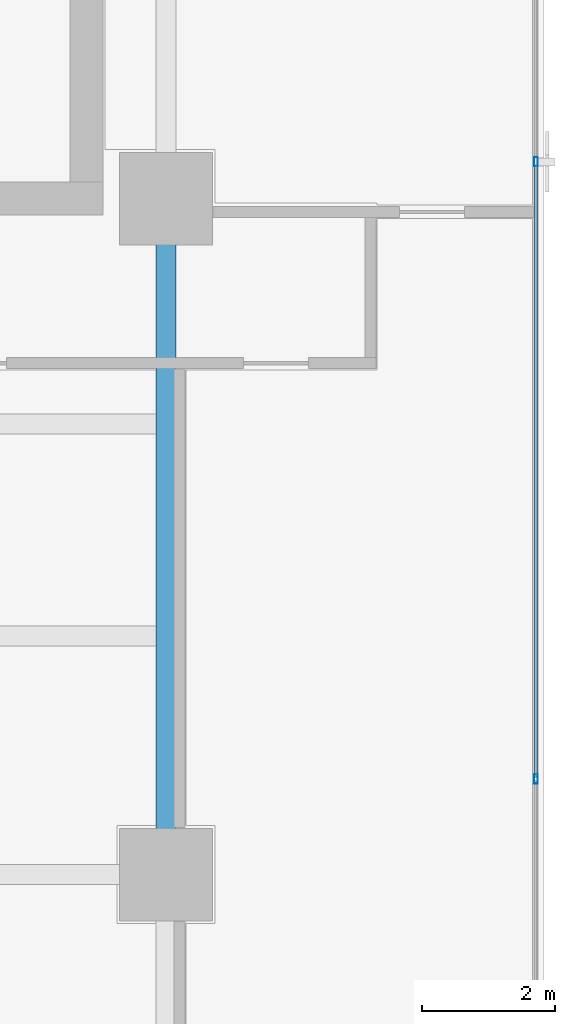
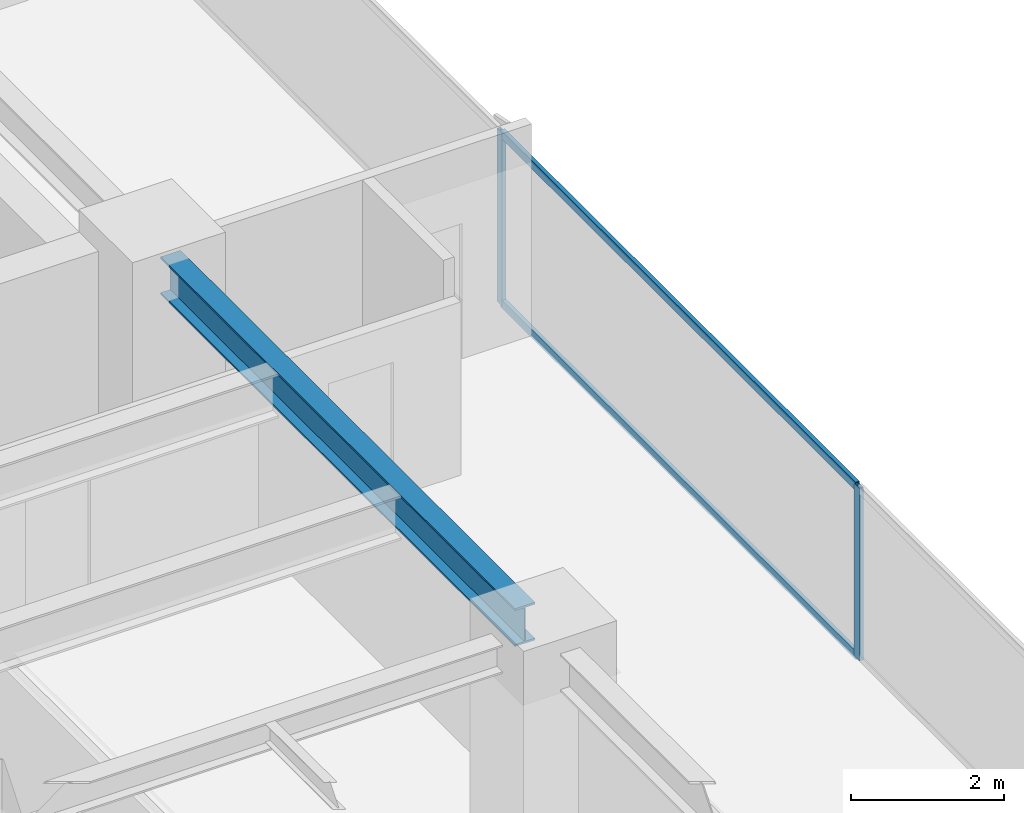
# One storey, part 13 of 26: 4 members, 1 beam, 1 element without a shape of its own.
"""IFC4 building model written with IfcOpenShell, lengths in metres."""

from ifc_helpers import new_model, si_unit, direction, frame, origin, origin_2d, place, context, subcontext, project, spatial, hollow_rectangle, i_section, extrude, source, transform, mapped, material, layer, layer_set, material_profile, profile_set, type_object, element, aggregate, save


model = new_model("IFC4")

# Units and contexts
model_context = context("Model", 3, precision=1e-05, world=origin(), true_north=direction((0.0, 1.0)))
body_context = subcontext(model_context, "Body", "Model", "MODEL_VIEW")
ifc_project = project(units=[si_unit("LENGTHUNIT", "METRE"), si_unit("AREAUNIT", "SQUARE_METRE"), si_unit("VOLUMEUNIT", "CUBIC_METRE"), si_unit("PLANEANGLEUNIT", "RADIAN"), si_unit("MASSUNIT", "GRAM", prefix="KILO")], contexts=[model_context])

# Site, building, storey
site_placement = place(None, origin())
site = spatial("IfcSite", under=ifc_project, at=site_placement, CompositionType="ELEMENT")
building_placement = place(site_placement, origin())
building = spatial("IfcBuilding", under=site, at=building_placement, Name="Sumidabori Civic Tower", CompositionType="ELEMENT")
storey_placement = place(building_placement, frame((0.0, 0.0, 261.199951171875)))
storey = spatial("IfcBuildingStorey", under=building, at=storey_placement, Name="L68", CompositionType="ELEMENT", Elevation=261.199951171875)

# Beam
ifc_material_1 = material(Name="Steel SN490", Category="steel")
ifc_material_profile_1 = material_profile(ifc_material_1, i_section(OverallWidth=0.300048828125, OverallDepth=0.60009765625, WebThickness=0.015380859375, FlangeThickness=0.030029296875, at=origin_2d()), Name="HE 600 B")
ifc_profile_set_1 = profile_set([ifc_material_profile_1], Name="Steel SN490")
beam_type = type_object("IfcBeamType", Name="BM-GIRD-600", PredefinedType="BEAM", material=ifc_profile_set_1)
shared_shape_1 = source(origin(), body_context, "Body", "SweptSolid", [
    extrude(i_section(OverallWidth=0.300048828125, OverallDepth=0.60009765625, WebThickness=0.015380859375, FlangeThickness=0.030029296875, at=origin_2d()), origin(), (0.0, 0.0, 1.0), 9.239990234375),
])
beam_placement = place(storey_placement, frame((16.800048828125, 0.47998046875, 3.070068359375), z_axis=(0.0, 1.0, 0.0), x_axis=(-1.0, 0.0, 0.0)))
element("IfcBeam", 1, at=beam_placement, inside=storey, type_object=beam_type, Name="Primary Girder L68 GY-16", PredefinedType="BEAM", context=body_context, shape_type="MappedRepresentation", body=[
    mapped(shared_shape_1, transform((0.0, 0.0, 0.0), x_axis=(1.0, 0.0, 0.0), y_axis=(0.0, 1.0, 0.0), z_axis=(0.0, 0.0, 1.0), scale=1.0)),
])

# Curtain wall, members
ifc_material_2 = material(Name="Anodised Bronze Aluminium AW-6063-T6", Category="aluminium")
ifc_layer = layer(ifc_material_2, 0.179931640625, Name="Anodised Bronze Aluminium AW-6063-T6")
ifc_layer_set = layer_set([ifc_layer], Name="Anodised Bronze Aluminium AW-6063-T6")
curtain_wall_type = type_object("IfcCurtainWallType", Name="CW-SYS-5", PredefinedType="NOTDEFINED", material=ifc_layer_set)
curtain_wall_placement = place(storey_placement, origin())
curtain_wall = element("IfcCurtainWall", 2, at=curtain_wall_placement, inside=storey, type_object=curtain_wall_type, Name="Curtain Wall CW:L68:R04", PredefinedType="NOTDEFINED")
ifc_material_profile_2 = material_profile(ifc_material_2, hollow_rectangle(XDim=0.06005859375, YDim=0.139892578125, WallThickness=0.0048828125, at=origin_2d()), Name="ALU MULLION 140x60")
ifc_profile_set_2 = profile_set([ifc_material_profile_2], Name="Anodised Bronze Aluminium AW-6063-T6")
member_type_1 = type_object("IfcMemberType", Name="CW-MUL-140", PredefinedType="MULLION", material=ifc_profile_set_2)
shared_shape_2 = source(origin(), body_context, "Body", "SweptSolid", [
    extrude(hollow_rectangle(XDim=0.06005859375, YDim=0.139892578125, WallThickness=0.0048828125, at=origin_2d()), origin(), (0.0, 0.0, 1.0), 2.75),
])
member_1_placement = place(storey_placement, frame((22.3798828125, 1.443359375, 0.0), z_axis=(0.0, 0.0, 1.0), x_axis=(-1.0, 0.0, 0.0)))
member_1 = element("IfcMember", 3, at=member_1_placement, type_object=member_type_1, Name="CW-5 mullion 2", PredefinedType="MULLION", context=body_context, shape_type="MappedRepresentation", body=[
    mapped(shared_shape_2, transform((0.0, 0.0, 0.0), x_axis=(1.0, 0.0, 0.0), y_axis=(0.0, 1.0, 0.0), z_axis=(0.0, 0.0, 1.0), scale=1.0)),
])
member_2_placement = place(storey_placement, frame((22.3798828125, 10.756591796875, 0.0), z_axis=(0.0, 0.0, 1.0), x_axis=(-1.0, 0.0, 0.0)))
member_2 = element("IfcMember", 4, at=member_2_placement, type_object=member_type_1, Name="CW-5 mullion 3", PredefinedType="MULLION", context=body_context, shape_type="MappedRepresentation", body=[
    mapped(shared_shape_2, transform((0.0, 0.0, 0.0), x_axis=(1.0, 0.0, 0.0), y_axis=(0.0, 1.0, 0.0), z_axis=(0.0, 0.0, 1.0), scale=1.0)),
])
ifc_material_profile_3 = material_profile(ifc_material_2, hollow_rectangle(XDim=0.06005859375, YDim=0.1298828125, WallThickness=0.0048828125, at=origin_2d()), Name="ALU TRANSOM 130x60")
ifc_profile_set_3 = profile_set([ifc_material_profile_3], Name="Anodised Bronze Aluminium AW-6063-T6")
member_type_2 = type_object("IfcMemberType", Name="CW-TRN-130", PredefinedType="USERDEFINED", material=ifc_profile_set_3)
shared_shape_3 = source(origin(), body_context, "Body", "SweptSolid", [
    extrude(hollow_rectangle(XDim=0.06005859375, YDim=0.1298828125, WallThickness=0.0048828125, at=origin_2d()), origin(), (0.0, 0.0, 1.0), 9.253173828125),
])
member_3_placement = place(storey_placement, frame((22.3798828125, 1.473388671875, 0.030029296875), z_axis=(0.0, 1.0, 0.0), x_axis=(-1.0, 0.0, 0.0)))
member_3 = element("IfcMember", 5, at=member_3_placement, type_object=member_type_2, Name="CW-5 transom 2.1", ObjectType="TRANSOM", PredefinedType="USERDEFINED", context=body_context, shape_type="MappedRepresentation", body=[
    mapped(shared_shape_3, transform((0.0, 0.0, 0.0), x_axis=(1.0, 0.0, 0.0), y_axis=(0.0, 1.0, 0.0), z_axis=(0.0, 0.0, 1.0), scale=1.0)),
])
member_4_placement = place(storey_placement, frame((22.3798828125, 1.473388671875, 2.719970703125), z_axis=(0.0, 1.0, 0.0), x_axis=(-1.0, 0.0, 0.0)))
member_4 = element("IfcMember", 6, at=member_4_placement, type_object=member_type_2, Name="CW-5 transom 2.2", ObjectType="TRANSOM", PredefinedType="USERDEFINED", context=body_context, shape_type="MappedRepresentation", body=[
    mapped(shared_shape_3, transform((0.0, 0.0, 0.0), x_axis=(1.0, 0.0, 0.0), y_axis=(0.0, 1.0, 0.0), z_axis=(0.0, 0.0, 1.0), scale=1.0)),
])
aggregate(curtain_wall, [member_1, member_2, member_3, member_4])

save(model, "model.ifc")
